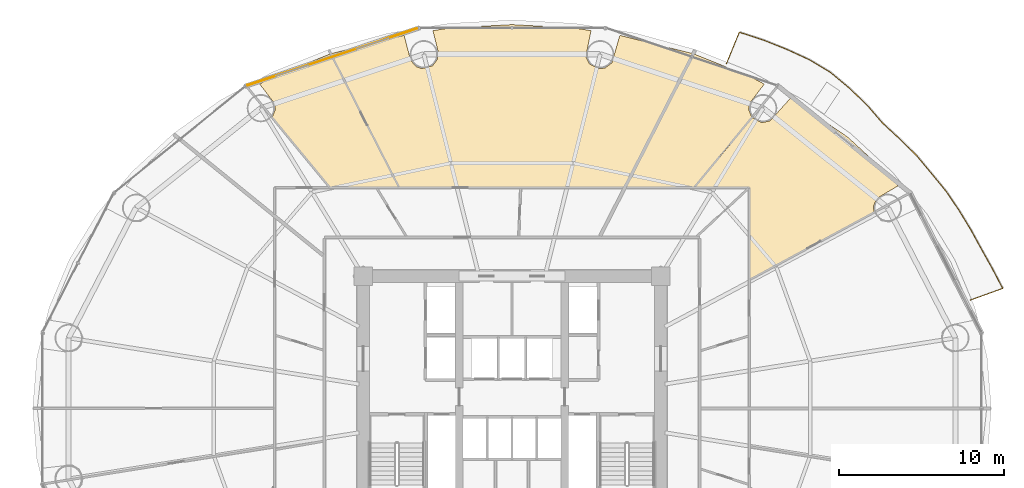
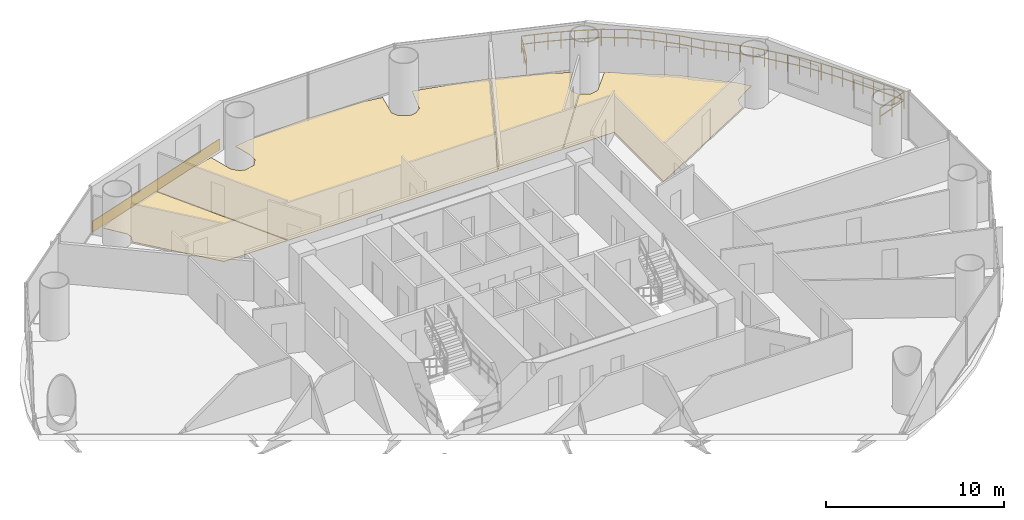
# One storey, part 29 of 29: 5 coverings, 1 railing.
"""IFC4 building model written with IfcOpenShell, lengths in metres."""

from ifc_helpers import new_model, si_unit, direction, frame, origin, origin_2d, place, context, subcontext, project, spatial, polyline, rectangle, outline, extrude, source, transform, mapped, material, layer, layer_set, type_object, element, save


model = new_model("IFC4")

# Units and contexts
model_context = context("Model", 3, precision=1e-05, world=origin(), true_north=direction((-0.2419218956, 0.970295726276)))
body_context = subcontext(model_context, "Body", "Model", "MODEL_VIEW")
ifc_project = project(units=[si_unit("LENGTHUNIT", "METRE"), si_unit("AREAUNIT", "SQUARE_METRE"), si_unit("VOLUMEUNIT", "CUBIC_METRE"), si_unit("PLANEANGLEUNIT", "RADIAN"), si_unit("MASSUNIT", "GRAM", prefix="KILO")], contexts=[model_context])

# Site, building, storey
site_placement = place(None, origin())
site = spatial("IfcSite", under=ifc_project, at=site_placement, CompositionType="ELEMENT")
building_placement = place(site_placement, origin())
building = spatial("IfcBuilding", under=site, at=building_placement, Name="Cobrevalo Terracotta Tower", CompositionType="ELEMENT")
storey_placement = place(building_placement, frame((0.0, 0.0, 67.199951171875)))
storey = spatial("IfcBuildingStorey", under=building, at=storey_placement, Name="L17", CompositionType="ELEMENT", Elevation=67.199951171875)

# Railing
ifc_material_1 = material(Name="Laminated structural glass and stainless steel", Category="steel")
railing_type = type_object("IfcRailingType", Name="Balcony lobe structural glass & terracotta-cap balustrade 1180 mm", PredefinedType="BALUSTRADE", material=ifc_material_1)
railing_placement = place(storey_placement, frame((65.7197265625, 33.349365234375, 0.0)))
element("IfcRailing", 1, at=railing_placement, inside=storey, type_object=railing_type, Name="L17 spiralling balcony lobe balustrade 1", PredefinedType="BALUSTRADE", context=body_context, shape_type="SweptSolid", body=[
    extrude(rectangle(XDim=0.048095703125, YDim=0.048095703125, at=origin_2d()), frame((0.0, 0.0, 1.15576171875), z_axis=(0.941003344294, 0.338397260667, 0.0), x_axis=(-0.338397260667, 0.941003344294, 0.0)), (0.0, 0.0, 1.0), 2.093017578125),
    extrude(rectangle(XDim=0.048095703125, YDim=0.048095703125, at=origin_2d()), frame((0.0, 0.0, 0.58984375), z_axis=(0.941003344294, 0.338397260667, 0.0), x_axis=(-0.338397260667, 0.941003344294, 0.0)), (0.0, 0.0, 1.0), 2.093017578125),
    extrude(rectangle(XDim=0.048095703125, YDim=0.048095703125, at=origin_2d()), frame((1.969482421875, 0.708251953125, 1.15576171875), z_axis=(-0.464335090732, 0.885659597992, 0.0), x_axis=(-0.885659597992, -0.464335090732, 0.0)), (0.0, 0.0, 1.0), 1.3623046875),
    extrude(rectangle(XDim=0.048095703125, YDim=0.048095703125, at=origin_2d()), frame((1.969482421875, 0.708251953125, 0.58984375), z_axis=(-0.464335090732, 0.885659597992, 0.0), x_axis=(-0.885659597992, -0.464335090732, 0.0)), (0.0, 0.0, 1.0), 1.3623046875),
    extrude(rectangle(XDim=0.048095703125, YDim=0.048095703125, at=origin_2d()), frame((1.3369140625, 1.914794921875, 1.15576171875), z_axis=(-0.488255773184, 0.872700578637, 0.0), x_axis=(-0.872700578637, -0.488255773184, 0.0)), (0.0, 0.0, 1.0), 1.34765625),
    extrude(rectangle(XDim=0.048095703125, YDim=0.048095703125, at=origin_2d()), frame((1.3369140625, 1.914794921875, 0.58984375), z_axis=(-0.488255773184, 0.872700578637, 0.0), x_axis=(-0.872700578637, -0.488255773184, 0.0)), (0.0, 0.0, 1.0), 1.34765625),
    extrude(rectangle(XDim=0.048095703125, YDim=0.048095703125, at=origin_2d()), frame((0.678955078125, 3.0908203125, 1.15576171875), z_axis=(-0.480321190869, 0.877092671046, 0.0), x_axis=(-0.877092671046, -0.480321190869, 0.0)), (0.0, 0.0, 1.0), 1.36181640625),
    extrude(rectangle(XDim=0.048095703125, YDim=0.048095703125, at=origin_2d()), frame((0.678955078125, 3.0908203125, 0.58984375), z_axis=(-0.480321190869, 0.877092671046, 0.0), x_axis=(-0.877092671046, -0.480321190869, 0.0)), (0.0, 0.0, 1.0), 1.36181640625),
    extrude(rectangle(XDim=0.048095703125, YDim=0.048095703125, at=origin_2d()), frame((0.02490234375, 4.28515625, 1.15576171875), z_axis=(-0.520473994388, 0.853877521174, 0.0), x_axis=(-0.853877521174, -0.520473994388, 0.0)), (0.0, 0.0, 1.0), 1.366455078125),
    extrude(rectangle(XDim=0.048095703125, YDim=0.048095703125, at=origin_2d()), frame((0.02490234375, 4.28515625, 0.58984375), z_axis=(-0.520473994388, 0.853877521174, 0.0), x_axis=(-0.853877521174, -0.520473994388, 0.0)), (0.0, 0.0, 1.0), 1.366455078125),
    extrude(rectangle(XDim=0.048095703125, YDim=0.048095703125, at=origin_2d()), frame((-0.686279296875, 5.451904296875, 1.15576171875), z_axis=(-0.560639618323, 0.828059912305, 0.0), x_axis=(-0.828059912305, -0.560639618323, 0.0)), (0.0, 0.0, 1.0), 1.3720703125),
    extrude(rectangle(XDim=0.048095703125, YDim=0.048095703125, at=origin_2d()), frame((-0.686279296875, 5.451904296875, 0.58984375), z_axis=(-0.560639618323, 0.828059912305, 0.0), x_axis=(-0.828059912305, -0.560639618323, 0.0)), (0.0, 0.0, 1.0), 1.3720703125),
    extrude(rectangle(XDim=0.048095703125, YDim=0.048095703125, at=origin_2d()), frame((-1.45556640625, 6.588134765625, 1.15576171875), z_axis=(-0.635198172723, 0.772349196523, 0.0), x_axis=(-0.772349196523, -0.635198172723, 0.0)), (0.0, 0.0, 1.0), 1.3955078125),
    extrude(rectangle(XDim=0.048095703125, YDim=0.048095703125, at=origin_2d()), frame((-1.45556640625, 6.588134765625, 0.58984375), z_axis=(-0.635198172723, 0.772349196523, 0.0), x_axis=(-0.772349196523, -0.635198172723, 0.0)), (0.0, 0.0, 1.0), 1.3955078125),
    extrude(rectangle(XDim=0.048095703125, YDim=0.048095703125, at=origin_2d()), frame((-2.342041015625, 7.666015625, 1.15576171875), z_axis=(-0.638148464298, 0.769913331171, 0.0), x_axis=(-0.769913331171, -0.638148464298, 0.0)), (0.0, 0.0, 1.0), 1.393310546875),
    extrude(rectangle(XDim=0.048095703125, YDim=0.048095703125, at=origin_2d()), frame((-2.342041015625, 7.666015625, 0.58984375), z_axis=(-0.638148464298, 0.769913331171, 0.0), x_axis=(-0.769913331171, -0.638148464298, 0.0)), (0.0, 0.0, 1.0), 1.393310546875),
    extrude(rectangle(XDim=0.048095703125, YDim=0.048095703125, at=origin_2d()), frame((-3.231201171875, 8.73876953125, 1.15576171875), z_axis=(-0.712769539056, 0.701398306381, 0.0), x_axis=(-0.701398306381, -0.712769539056, 0.0)), (0.0, 0.0, 1.0), 1.4169921875),
    extrude(rectangle(XDim=0.048095703125, YDim=0.048095703125, at=origin_2d()), frame((-3.231201171875, 8.73876953125, 0.58984375), z_axis=(-0.712769539056, 0.701398306381, 0.0), x_axis=(-0.701398306381, -0.712769539056, 0.0)), (0.0, 0.0, 1.0), 1.4169921875),
    extrude(rectangle(XDim=0.048095703125, YDim=0.048095703125, at=origin_2d()), frame((-4.2412109375, 9.732666015625, 1.15576171875), z_axis=(-0.734724628691, 0.678365476712, 0.0), x_axis=(-0.678365476712, -0.734724628691, 0.0)), (0.0, 0.0, 1.0), 1.42529296875),
    extrude(rectangle(XDim=0.048095703125, YDim=0.048095703125, at=origin_2d()), frame((-4.2412109375, 9.732666015625, 0.58984375), z_axis=(-0.734724628691, 0.678365476712, 0.0), x_axis=(-0.678365476712, -0.734724628691, 0.0)), (0.0, 0.0, 1.0), 1.42529296875),
    extrude(rectangle(XDim=0.048095703125, YDim=0.048095703125, at=origin_2d()), frame((-5.288330078125, 10.699462890625, 1.15576171875), z_axis=(-0.653650485806, 0.756796566064, 0.0), x_axis=(-0.756796566064, -0.653650485806, 0.0)), (0.0, 0.0, 1.0), 1.453369140625),
    extrude(rectangle(XDim=0.048095703125, YDim=0.048095703125, at=origin_2d()), frame((-5.288330078125, 10.699462890625, 0.58984375), z_axis=(-0.653650485806, 0.756796566064, 0.0), x_axis=(-0.756796566064, -0.653650485806, 0.0)), (0.0, 0.0, 1.0), 1.453369140625),
    extrude(rectangle(XDim=0.048095703125, YDim=0.048095703125, at=origin_2d()), frame((-6.23828125, 11.79931640625, 1.15576171875), z_axis=(-0.721604376069, 0.692305658245, 0.0), x_axis=(-0.692305658245, -0.721604376069, 0.0)), (0.0, 0.0, 1.0), 1.483154296875),
    extrude(rectangle(XDim=0.048095703125, YDim=0.048095703125, at=origin_2d()), frame((-6.23828125, 11.79931640625, 0.58984375), z_axis=(-0.721604376069, 0.692305658245, 0.0), x_axis=(-0.692305658245, -0.721604376069, 0.0)), (0.0, 0.0, 1.0), 1.483154296875),
    extrude(rectangle(XDim=0.048095703125, YDim=0.048095703125, at=origin_2d()), frame((-7.30859375, 12.826171875, 1.15576171875), z_axis=(-0.766994551174, 0.641653612527, 0.0), x_axis=(-0.641653612527, -0.766994551174, 0.0)), (0.0, 0.0, 1.0), 1.486083984375),
    extrude(rectangle(XDim=0.048095703125, YDim=0.048095703125, at=origin_2d()), frame((-7.30859375, 12.826171875, 0.58984375), z_axis=(-0.766994551174, 0.641653612527, 0.0), x_axis=(-0.641653612527, -0.766994551174, 0.0)), (0.0, 0.0, 1.0), 1.486083984375),
    extrude(rectangle(XDim=0.048095703125, YDim=0.048095703125, at=origin_2d()), frame((-8.448486328125, 13.77978515625, 1.15576171875), z_axis=(-0.857679514868, 0.514184645605, 0.0), x_axis=(-0.514184645605, -0.857679514868, 0.0)), (0.0, 0.0, 1.0), 1.50048828125),
    extrude(rectangle(XDim=0.048095703125, YDim=0.048095703125, at=origin_2d()), frame((-8.448486328125, 13.77978515625, 0.58984375), z_axis=(-0.857679514868, 0.514184645605, 0.0), x_axis=(-0.514184645605, -0.857679514868, 0.0)), (0.0, 0.0, 1.0), 1.50048828125),
    extrude(rectangle(XDim=0.048095703125, YDim=0.048095703125, at=origin_2d()), frame((-9.7353515625, 14.55126953125, 1.15576171875), z_axis=(-0.909613814869, 0.415454820408, 0.0), x_axis=(-0.415454820408, -0.909613814869, 0.0)), (0.0, 0.0, 1.0), 1.513671875),
    extrude(rectangle(XDim=0.048095703125, YDim=0.048095703125, at=origin_2d()), frame((-9.7353515625, 14.55126953125, 0.58984375), z_axis=(-0.909613814869, 0.415454820408, 0.0), x_axis=(-0.415454820408, -0.909613814869, 0.0)), (0.0, 0.0, 1.0), 1.513671875),
    extrude(rectangle(XDim=0.048095703125, YDim=0.048095703125, at=origin_2d()), frame((-11.1123046875, 15.18017578125, 1.15576171875), z_axis=(-0.928955935367, 0.370190316115, 0.0), x_axis=(-0.370190316115, -0.928955935367, 0.0)), (0.0, 0.0, 1.0), 1.50830078125),
    extrude(rectangle(XDim=0.048095703125, YDim=0.048095703125, at=origin_2d()), frame((-11.1123046875, 15.18017578125, 0.58984375), z_axis=(-0.928955935367, 0.370190316115, 0.0), x_axis=(-0.370190316115, -0.928955935367, 0.0)), (0.0, 0.0, 1.0), 1.50830078125),
    extrude(rectangle(XDim=0.048095703125, YDim=0.048095703125, at=origin_2d()), frame((-12.513427734375, 15.738525390625, 1.15576171875), z_axis=(-0.951001252558, 0.309187026947, 0.0), x_axis=(-0.309187026947, -0.951001252558, 0.0)), (0.0, 0.0, 1.0), 1.531005859375),
    extrude(rectangle(XDim=0.048095703125, YDim=0.048095703125, at=origin_2d()), frame((-12.513427734375, 15.738525390625, 0.58984375), z_axis=(-0.951001252558, 0.309187026947, 0.0), x_axis=(-0.309187026947, -0.951001252558, 0.0)), (0.0, 0.0, 1.0), 1.531005859375),
    extrude(rectangle(XDim=0.048095703125, YDim=0.048095703125, at=origin_2d()), frame((-13.969482421875, 16.2119140625, 1.15576171875), z_axis=(-0.378428631131, -0.925630472241, 0.0), x_axis=(0.925630472241, -0.378428631131, 0.0)), (0.0, 0.0, 1.0), 2.04833984375),
    extrude(rectangle(XDim=0.048095703125, YDim=0.048095703125, at=origin_2d()), frame((-13.969482421875, 16.2119140625, 0.58984375), z_axis=(-0.378428631131, -0.925630472241, 0.0), x_axis=(0.925630472241, -0.378428631131, 0.0)), (0.0, 0.0, 1.0), 2.04833984375),
    extrude(rectangle(XDim=0.0419921875, YDim=0.0419921875, at=origin_2d()), origin(), (0.0, 0.0, 1.0), 1.1318359375),
    extrude(rectangle(XDim=0.0419921875, YDim=0.0419921875, at=origin_2d()), frame((0.98486328125, 0.35400390625, 0.0)), (0.0, 0.0, 1.0), 1.1318359375),
    extrude(rectangle(XDim=0.0419921875, YDim=0.0419921875, at=origin_2d()), frame((1.969482421875, 0.708251953125, 0.0)), (0.0, 0.0, 1.0), 1.1318359375),
    extrude(rectangle(XDim=0.0419921875, YDim=0.0419921875, at=origin_2d()), frame((1.6533203125, 1.3115234375, 0.0)), (0.0, 0.0, 1.0), 1.1318359375),
    extrude(rectangle(XDim=0.0419921875, YDim=0.0419921875, at=origin_2d()), frame((1.3369140625, 1.914794921875, 0.0)), (0.0, 0.0, 1.0), 1.1318359375),
    extrude(rectangle(XDim=0.0419921875, YDim=0.0419921875, at=origin_2d()), frame((1.0078125, 2.5029296875, 0.0)), (0.0, 0.0, 1.0), 1.1318359375),
    extrude(rectangle(XDim=0.0419921875, YDim=0.0419921875, at=origin_2d()), frame((0.678955078125, 3.0908203125, 0.0)), (0.0, 0.0, 1.0), 1.1318359375),
    extrude(rectangle(XDim=0.0419921875, YDim=0.0419921875, at=origin_2d()), frame((0.35205078125, 3.68798828125, 0.0)), (0.0, 0.0, 1.0), 1.1318359375),
    extrude(rectangle(XDim=0.0419921875, YDim=0.0419921875, at=origin_2d()), frame((0.02490234375, 4.28515625, 0.0)), (0.0, 0.0, 1.0), 1.1318359375),
    extrude(rectangle(XDim=0.0419921875, YDim=0.0419921875, at=origin_2d()), frame((-0.33056640625, 4.86865234375, 0.0)), (0.0, 0.0, 1.0), 1.1318359375),
    extrude(rectangle(XDim=0.0419921875, YDim=0.0419921875, at=origin_2d()), frame((-0.686279296875, 5.451904296875, 0.0)), (0.0, 0.0, 1.0), 1.1318359375),
    extrude(rectangle(XDim=0.0419921875, YDim=0.0419921875, at=origin_2d()), frame((-1.07080078125, 6.02001953125, 0.0)), (0.0, 0.0, 1.0), 1.1318359375),
    extrude(rectangle(XDim=0.0419921875, YDim=0.0419921875, at=origin_2d()), frame((-1.45556640625, 6.588134765625, 0.0)), (0.0, 0.0, 1.0), 1.1318359375),
    extrude(rectangle(XDim=0.0419921875, YDim=0.0419921875, at=origin_2d()), frame((-1.89892578125, 7.126953125, 0.0)), (0.0, 0.0, 1.0), 1.1318359375),
    extrude(rectangle(XDim=0.0419921875, YDim=0.0419921875, at=origin_2d()), frame((-2.342041015625, 7.666015625, 0.0)), (0.0, 0.0, 1.0), 1.1318359375),
    extrude(rectangle(XDim=0.0419921875, YDim=0.0419921875, at=origin_2d()), frame((-2.78662109375, 8.202392578125, 0.0)), (0.0, 0.0, 1.0), 1.1318359375),
    extrude(rectangle(XDim=0.0419921875, YDim=0.0419921875, at=origin_2d()), frame((-3.231201171875, 8.73876953125, 0.0)), (0.0, 0.0, 1.0), 1.1318359375),
    extrude(rectangle(XDim=0.0419921875, YDim=0.0419921875, at=origin_2d()), frame((-3.736328125, 9.23583984375, 0.0)), (0.0, 0.0, 1.0), 1.1318359375),
    extrude(rectangle(XDim=0.0419921875, YDim=0.0419921875, at=origin_2d()), frame((-4.2412109375, 9.732666015625, 0.0)), (0.0, 0.0, 1.0), 1.1318359375),
    extrude(rectangle(XDim=0.0419921875, YDim=0.0419921875, at=origin_2d()), frame((-4.7646484375, 10.216064453125, 0.0)), (0.0, 0.0, 1.0), 1.1318359375),
    extrude(rectangle(XDim=0.0419921875, YDim=0.0419921875, at=origin_2d()), frame((-5.288330078125, 10.699462890625, 0.0)), (0.0, 0.0, 1.0), 1.1318359375),
    extrude(rectangle(XDim=0.0419921875, YDim=0.0419921875, at=origin_2d()), frame((-5.76318359375, 11.24951171875, 0.0)), (0.0, 0.0, 1.0), 1.1318359375),
    extrude(rectangle(XDim=0.0419921875, YDim=0.0419921875, at=origin_2d()), frame((-6.23828125, 11.79931640625, 0.0)), (0.0, 0.0, 1.0), 1.1318359375),
    extrude(rectangle(XDim=0.0419921875, YDim=0.0419921875, at=origin_2d()), frame((-6.7734375, 12.312744140625, 0.0)), (0.0, 0.0, 1.0), 1.1318359375),
    extrude(rectangle(XDim=0.0419921875, YDim=0.0419921875, at=origin_2d()), frame((-7.30859375, 12.826171875, 0.0)), (0.0, 0.0, 1.0), 1.1318359375),
    extrude(rectangle(XDim=0.0419921875, YDim=0.0419921875, at=origin_2d()), frame((-7.87841796875, 13.302978515625, 0.0)), (0.0, 0.0, 1.0), 1.1318359375),
    extrude(rectangle(XDim=0.0419921875, YDim=0.0419921875, at=origin_2d()), frame((-8.448486328125, 13.77978515625, 0.0)), (0.0, 0.0, 1.0), 1.1318359375),
    extrude(rectangle(XDim=0.0419921875, YDim=0.0419921875, at=origin_2d()), frame((-9.091796875, 14.16552734375, 0.0)), (0.0, 0.0, 1.0), 1.1318359375),
    extrude(rectangle(XDim=0.0419921875, YDim=0.0419921875, at=origin_2d()), frame((-9.7353515625, 14.55126953125, 0.0)), (0.0, 0.0, 1.0), 1.1318359375),
    extrude(rectangle(XDim=0.0419921875, YDim=0.0419921875, at=origin_2d()), frame((-10.423828125, 14.86572265625, 0.0)), (0.0, 0.0, 1.0), 1.1318359375),
    extrude(rectangle(XDim=0.0419921875, YDim=0.0419921875, at=origin_2d()), frame((-11.1123046875, 15.18017578125, 0.0)), (0.0, 0.0, 1.0), 1.1318359375),
    extrude(rectangle(XDim=0.0419921875, YDim=0.0419921875, at=origin_2d()), frame((-11.81298828125, 15.45947265625, 0.0)), (0.0, 0.0, 1.0), 1.1318359375),
    extrude(rectangle(XDim=0.0419921875, YDim=0.0419921875, at=origin_2d()), frame((-12.513427734375, 15.738525390625, 0.0)), (0.0, 0.0, 1.0), 1.1318359375),
    extrude(rectangle(XDim=0.0419921875, YDim=0.0419921875, at=origin_2d()), frame((-13.241455078125, 15.97509765625, 0.0)), (0.0, 0.0, 1.0), 1.1318359375),
    extrude(rectangle(XDim=0.0419921875, YDim=0.0419921875, at=origin_2d()), frame((-13.969482421875, 16.2119140625, 0.0)), (0.0, 0.0, 1.0), 1.1318359375),
    extrude(rectangle(XDim=0.0419921875, YDim=0.0419921875, at=origin_2d()), frame((-14.35693359375, 15.263916015625, 0.0)), (0.0, 0.0, 1.0), 1.1318359375),
    extrude(rectangle(XDim=0.0419921875, YDim=0.0419921875, at=origin_2d()), frame((-14.74462890625, 14.31591796875, 0.0)), (0.0, 0.0, 1.0), 1.1318359375),
])

# Coverings
ifc_material_2 = material(Name="Engineered Brazilian hardwood flooring", Category="wood")
ifc_layer_1 = layer(ifc_material_2, 0.028076171875)
ifc_layer_set_1 = layer_set([ifc_layer_1], Name="Engineered Brazilian hardwood flooring")
covering_type_1 = type_object("IfcCoveringType", Name="Engineered Hardwood Suite Flooring 28", PredefinedType="FLOORING", material=ifc_layer_set_1)
covering_1_placement = place(storey_placement, origin())
element("IfcCovering", 2, at=covering_1_placement, inside=storey, type_object=covering_type_1, Name="Flat L17A Penthouse Family Lounge floor finish", PredefinedType="FLOORING", context=body_context, shape_type="SweptSolid", body=[
    extrude(outline(polyline([(58.3095703125, 43.217529296875), (60.786376953125, 40.933837890625), (61.34423828125, 40.2587890625), (60.060791015625, 39.497802734375), (59.864990234375, 39.02587890625), (59.90234375, 38.681884765625), (52.375, 34.606201171875), (52.375, 40.175048828125), (49.054443359375, 40.175048828125), (52.531982421875, 44.392578125), (53.100341796875, 44.092529296875), (53.6025390625, 44.1875), (54.843505859375, 45.567138671875), (58.3095703125, 43.217529296875)])), origin(), (0.0, 0.0, 1.0), 0.030029296875),
])
covering_2_placement = place(storey_placement, origin())
element("IfcCovering", 3, at=covering_2_placement, inside=storey, type_object=covering_type_1, Name="Flat L17A Master Bedroom floor finish", PredefinedType="FLOORING", context=body_context, shape_type="SweptSolid", body=[
    extrude(outline(polyline([(49.002685546875, 40.175048828125), (44.859130859375, 40.175048828125), (48.9873046875, 48.251220703125), (52.361572265625, 46.908203125), (53.26318359375, 46.421142578125), (52.35498046875, 45.23095703125), (52.318115234375, 44.889404296875), (52.5048828125, 44.42236328125), (49.002685546875, 40.175048828125)])), origin(), (0.0, 0.0, 1.0), 0.030029296875),
])
covering_3_placement = place(storey_placement, origin())
element("IfcCovering", 4, at=covering_3_placement, inside=storey, type_object=covering_type_1, Name="Flat L17B Penthouse Living and Dining Room floor finish", PredefinedType="FLOORING", context=body_context, shape_type="SweptSolid", body=[
    extrude(outline(polyline([(31.472412109375, 49.37451171875), (31.8681640625, 47.85498046875), (32.210693359375, 47.475830078125), (32.533935546875, 47.35986328125), (33.1875, 47.5224609375), (33.492431640625, 47.932373046875), (33.5185546875, 48.44189453125), (33.21630859375, 49.65478515625), (34.250732421875, 49.8212890625), (38.0, 50.02001953125), (41.749267578125, 49.8212890625), (42.78369140625, 49.65478515625), (42.46533203125, 48.099853515625), (42.6845703125, 47.63818359375), (43.293701171875, 47.35107421875), (43.63330078125, 47.40185546875), (44.04345703125, 47.706787109375), (44.527587890625, 49.37451171875), (48.948974609375, 48.263671875), (44.814208984375, 40.175048828125), (31.185791015625, 40.175048828125), (27.051025390625, 48.263671875), (31.472412109375, 49.37451171875)])), origin(), (0.0, 0.0, 1.0), 0.030029296875),
])
covering_4_placement = place(storey_placement, origin())
element("IfcCovering", 5, at=covering_4_placement, inside=storey, type_object=covering_type_1, Name="Flat L17B Master Bedroom floor finish", PredefinedType="FLOORING", context=body_context, shape_type="SweptSolid", body=[
    extrude(outline(polyline([(23.4951171875, 44.42236328125), (23.681884765625, 44.889404296875), (23.64501953125, 45.23095703125), (22.73681640625, 46.421142578125), (23.638427734375, 46.908203125), (27.0126953125, 48.251220703125), (31.140869140625, 40.175048828125), (26.997314453125, 40.175048828125), (23.4951171875, 44.42236328125)])), origin(), (0.0, 0.0, 1.0), 0.030029296875),
])
ifc_material_3 = material(Name="Glazed terracotta facade cladding tile", Category="masonry")
ifc_layer_2 = layer(ifc_material_3, 0.044921875)
ifc_layer_set_2 = layer_set([ifc_layer_2], Name="Glazed terracotta facade cladding tile")
covering_type_2 = type_object("IfcCoveringType", Name="Architectural terracotta rainscreen spandrel cladding 45 mm", PredefinedType="CLADDING", material=ifc_layer_set_2)
shared_shape = source(origin(), body_context, "Body", "SweptSolid", [
    extrude(rectangle(XDim=10.8154296875, YDim=0.044921875, at=origin_2d()), origin(), (0.0, 0.0, 1.0), 0.760009765625),
])
covering_5_placement = place(storey_placement, frame((27.126708984375, 48.06689453125, 0.0400390625), z_axis=(0.0, 0.0, 1.0), x_axis=(-0.948044172593, -0.318138722592, 0.0)))
element("IfcCovering", 6, at=covering_5_placement, inside=storey, type_object=covering_type_2, Name="L17 terracotta spandrel cladding S05", PredefinedType="CLADDING", context=body_context, shape_type="MappedRepresentation", body=[
    mapped(shared_shape, transform((0.0, 0.0, 0.0), scale=1.0)),
])

save(model, "model.ifc")
